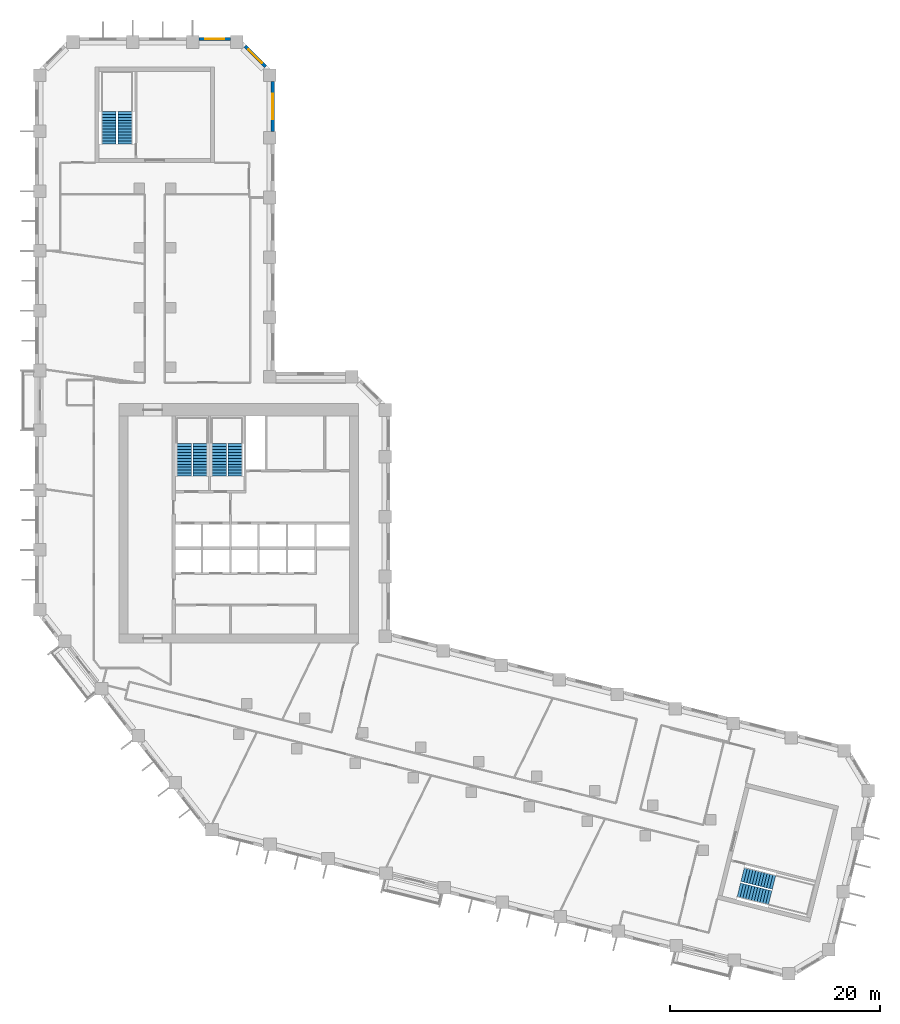
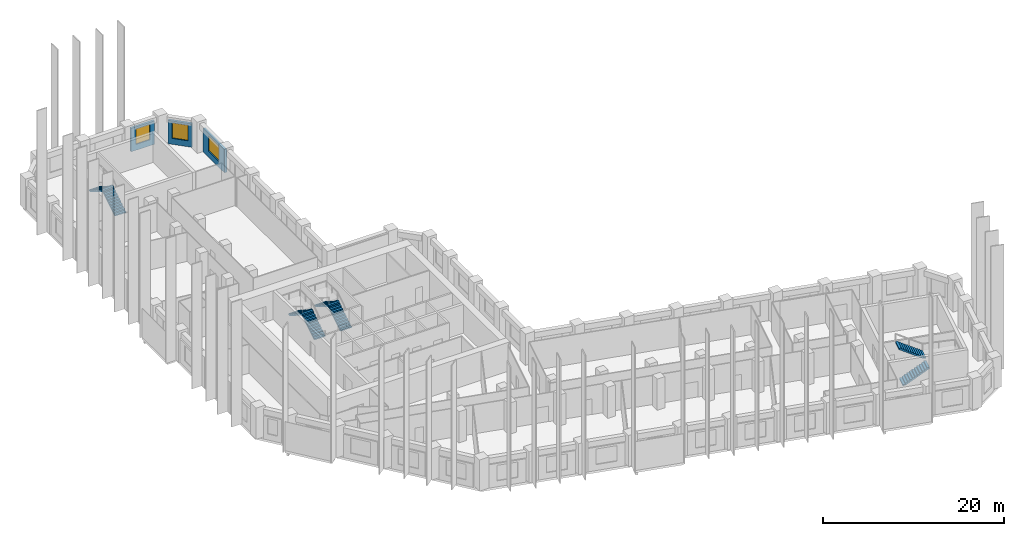
# One storey, part 9 of 10: 8 stair flights, 3 walls, 3 windows, 3 openings, 4 elements without a shape of their own.
"""IFC4 building model written with IfcOpenShell, lengths in metres."""

from ifc_helpers import new_model, si_unit, direction, frame, frame_2d, origin, place, context, subcontext, project, spatial, polyline, rectangle, outline, extrude, material, layer, layer_set, type_object, element, fill, aggregate, save


model = new_model("IFC4")

# Units and contexts
model_context = context("Model", 3, precision=1e-05, world=origin(), true_north=direction((0.0, 1.0)))
body_context = subcontext(model_context, "Body", "Model", "MODEL_VIEW")
ifc_project = project(units=[si_unit("LENGTHUNIT", "METRE"), si_unit("AREAUNIT", "SQUARE_METRE"), si_unit("VOLUMEUNIT", "CUBIC_METRE"), si_unit("PLANEANGLEUNIT", "RADIAN"), si_unit("MASSUNIT", "GRAM", prefix="KILO")], contexts=[model_context])

# Site, building, storey
site_placement = place(None, origin())
site = spatial("IfcSite", under=ifc_project, at=site_placement, CompositionType="ELEMENT")
building_placement = place(site_placement, origin())
building = spatial("IfcBuilding", under=site, at=building_placement, Name="Meshkara Civic Tower", CompositionType="ELEMENT")
storey_placement = place(building_placement, frame((0.0, 0.0, 195.0)))
storey = spatial("IfcBuildingStorey", under=building, at=storey_placement, Name="L44", CompositionType="ELEMENT", Elevation=195.0)

# Wall, opening, window
ifc_material_1 = material(Name="Insulated infill panel with bronze anodised aluminium cladding", Category="aluminium")
ifc_layer = layer(ifc_material_1, 0.300048828125)
ifc_layer_set = layer_set([ifc_layer], Name="EXTERNAL INFILL WALL 300")
wall_type = type_object("IfcWallType", Name="EXTERNAL INFILL WALL 300", PredefinedType="SOLIDWALL", material=ifc_layer_set)
wall_1_placement = place(storey_placement, frame((22.64990234375, 62.85009765625, 0.0), z_axis=(0.0, 0.0, 1.0), x_axis=(0.0, 1.0, 0.0)))
wall_1 = element("IfcWall", 1, at=wall_1_placement, inside=storey, type_object=wall_type, Name="External wall", PredefinedType="SOLIDWALL", context=body_context, shape_type="SweptSolid", body=[
    extrude(rectangle(XDim=4.763916015625, YDim=0.300048828125, at=frame_2d((2.3818359375, 0.0))), origin(), (0.0, 0.0, 1.0), 3.14990234375),
])
opening_1_placement = place(wall_1_placement, frame((1.181884765625, 0.0, 0.800048828125)))
opening_1 = element("IfcOpeningElement", 2, at=opening_1_placement, cuts=wall_1, Name="Opening W7", PredefinedType="OPENING", context=body_context, shape_type="SweptSolid", body=[
    extrude(rectangle(XDim=2.39990234375, YDim=2.10009765625, at=frame_2d((1.199951171875, 1.050048828125))), frame((0.0, 0.159912109375, 0.0), z_axis=(0.0, -1.0, 0.0), x_axis=(1.0, 0.0, 0.0)), (0.0, 0.0, 1.0), 0.320068359375),
])
ifc_material_2 = material(Name="Tinted double glazing", Category="glass")
window_type_1 = type_object("IfcWindowType", Name="WINDOW 2400x2100", PartitioningType="DOUBLE_PANEL_VERTICAL", PredefinedType="WINDOW", material=ifc_material_2)
window_1_placement = place(opening_1_placement, origin())
window_1 = element("IfcWindow", 3, at=window_1_placement, inside=storey, type_object=window_type_1, Name="Window", OverallHeight=2.10009765625, OverallWidth=2.39990234375, PartitioningType="DOUBLE_PANEL_VERTICAL", PredefinedType="WINDOW", context=body_context, shape_type="SweptSolid", body=[
    extrude(rectangle(XDim=2.39990234375, YDim=2.10009765625, at=frame_2d((1.199951171875, 1.050048828125))), frame((0.0, 0.030029296875, 0.0), z_axis=(0.0, -1.0, 0.0), x_axis=(1.0, 0.0, 0.0)), (0.0, 0.0, 1.0), 0.06005859375),
])
fill(opening_1, window_1)

wall_2_placement = place(storey_placement, frame((21.9619140625, 69.02587890625, 0.0), z_axis=(0.0, 0.0, 1.0), x_axis=(-0.707062649074, 0.707150910545, 0.0)))
wall_2 = element("IfcWall", 4, at=wall_2_placement, inside=storey, type_object=wall_type, Name="External wall", PredefinedType="SOLIDWALL", context=body_context, shape_type="SweptSolid", body=[
    extrude(rectangle(XDim=2.76611328125, YDim=0.300048828125, at=frame_2d((1.383056640625, 0.0))), origin(), (0.0, 0.0, 1.0), 3.14990234375),
])
opening_2_placement = place(wall_2_placement, frame((0.48291015625, 0.0, 0.800048828125)))
opening_2 = element("IfcOpeningElement", 5, at=opening_2_placement, cuts=wall_2, Name="Opening W9", PredefinedType="OPENING", context=body_context, shape_type="SweptSolid", body=[
    extrude(rectangle(XDim=1.800048828125, YDim=2.10009765625, at=frame_2d((0.89990234375, 1.050048828125))), frame((0.0, 0.159912109375, 0.0), z_axis=(0.0, -1.0, 0.0), x_axis=(1.0, 0.0, 0.0)), (0.0, 0.0, 1.0), 0.320068359375),
])
ifc_material_3 = material(Name="Tinted double glazing", Category="glass")
window_type_2 = type_object("IfcWindowType", Name="WINDOW 1800x2100", PartitioningType="DOUBLE_PANEL_VERTICAL", PredefinedType="WINDOW", material=ifc_material_3)
window_2_placement = place(opening_2_placement, origin())
window_2 = element("IfcWindow", 6, at=window_2_placement, inside=storey, type_object=window_type_2, Name="Window", OverallHeight=2.10009765625, OverallWidth=1.800048828125, PartitioningType="DOUBLE_PANEL_VERTICAL", PredefinedType="WINDOW", context=body_context, shape_type="SweptSolid", body=[
    extrude(rectangle(XDim=1.800048828125, YDim=2.10009765625, at=frame_2d((0.89990234375, 1.050048828125))), frame((0.0, 0.030029296875, 0.0), z_axis=(0.0, -1.0, 0.0), x_axis=(1.0, 0.0, 0.0)), (0.0, 0.0, 1.0), 0.06005859375),
])
fill(opening_2, window_2)

wall_3_placement = place(storey_placement, frame((18.593994140625, 71.669921875, 0.0), z_axis=(0.0, 0.0, 1.0), x_axis=(-1.0, 0.0, 0.0)))
wall_3 = element("IfcWall", 7, at=wall_3_placement, inside=storey, type_object=wall_type, Name="External wall", PredefinedType="SOLIDWALL", context=body_context, shape_type="SweptSolid", body=[
    extrude(rectangle(XDim=2.988037109375, YDim=0.300048828125, at=frame_2d((1.494140625, 0.0))), origin(), (0.0, 0.0, 1.0), 3.14990234375),
])
opening_3_placement = place(wall_3_placement, frame((0.593994140625, 0.0, 0.800048828125)))
opening_3 = element("IfcOpeningElement", 8, at=opening_3_placement, cuts=wall_3, Name="Opening W9", PredefinedType="OPENING", context=body_context, shape_type="SweptSolid", body=[
    extrude(rectangle(XDim=1.800048828125, YDim=2.10009765625, at=frame_2d((0.89990234375, 1.050048828125))), frame((0.0, 0.159912109375, 0.0), z_axis=(0.0, -1.0, 0.0), x_axis=(1.0, 0.0, 0.0)), (0.0, 0.0, 1.0), 0.320068359375),
])
window_3_placement = place(opening_3_placement, origin())
window_3 = element("IfcWindow", 9, at=window_3_placement, inside=storey, type_object=window_type_2, Name="Window", OverallHeight=2.10009765625, OverallWidth=1.800048828125, PartitioningType="DOUBLE_PANEL_VERTICAL", PredefinedType="WINDOW", context=body_context, shape_type="SweptSolid", body=[
    extrude(rectangle(XDim=1.800048828125, YDim=2.10009765625, at=frame_2d((0.89990234375, 1.050048828125))), frame((0.0, 0.030029296875, 0.0), z_axis=(0.0, -1.0, 0.0), x_axis=(1.0, 0.0, 0.0)), (0.0, 0.0, 1.0), 0.06005859375),
])
fill(opening_3, window_3)

# Stair, stair flights
ifc_material_4 = material(Name="Precast concrete C40/50", Category="concrete")
stair_type = type_object("IfcStairType", Name="Exit stair half-turn 24 risers precast", PredefinedType="HALF_TURN_STAIR", material=ifc_material_4)
stair_1_placement = place(storey_placement, origin())
stair_1 = element("IfcStair", 10, at=stair_1_placement, inside=storey, type_object=stair_type, Name="L44 exit stair 1", PredefinedType="HALF_TURN_STAIR")
ifc_material_5 = material(Name="Precast concrete C40/50", Category="concrete")
stair_flight_type = type_object("IfcStairFlightType", Name="Exit stair flight 12 risers precast", PredefinedType="STRAIGHT", material=ifc_material_5)
stair_flight_1_placement = place(storey_placement, frame((15.72509765625, 30.0, 0.0), z_axis=(0.0, 0.0, 1.0), x_axis=(0.0, 1.0, 0.0)))
stair_flight_1 = element("IfcStairFlight", 11, at=stair_flight_1_placement, type_object=stair_flight_type, Name="ST1 flight 1", NumberOfRisers=12, NumberOfTreads=11, PredefinedType="STRAIGHT", RiserHeight=0.175, TreadLength=0.28, context=body_context, shape_type="SweptSolid", body=[
    extrude(outline(polyline([(0.0, 0.0), (0.0, 0.175048828125), (0.280029296875, 0.175048828125), (0.280029296875, 0.35009765625), (0.56005859375, 0.35009765625), (0.56005859375, 0.52490234375), (0.840087890625, 0.52490234375), (0.840087890625, 0.699951171875), (1.1201171875, 0.699951171875), (1.1201171875, 0.875), (1.39990234375, 0.875), (1.39990234375, 1.050048828125), (1.679931640625, 1.050048828125), (1.679931640625, 1.22509765625), (1.9599609375, 1.22509765625), (1.9599609375, 1.39990234375), (2.239990234375, 1.39990234375), (2.239990234375, 1.574951171875), (2.52001953125, 1.574951171875), (2.52001953125, 1.75), (2.800048828125, 1.75), (2.800048828125, 1.925048828125), (3.080078125, 1.925048828125), (3.080078125, 2.10009765625), (3.080078125, 1.748291015625), (0.28271484375, 0.0), (0.0, 0.0)])), frame((0.0, 0.699951171875, 0.0), z_axis=(0.0, -1.0, 0.0), x_axis=(1.0, 0.0, 0.0)), (0.0, 0.0, 1.0), 1.39990234375),
])
stair_flight_2_placement = place(storey_placement, frame((14.175048828125, 33.080078125, 2.10009765625), z_axis=(0.0, 0.0, 1.0), x_axis=(0.0, -1.0, 0.0)))
stair_flight_2 = element("IfcStairFlight", 12, at=stair_flight_2_placement, type_object=stair_flight_type, Name="ST1 flight 2", NumberOfRisers=12, NumberOfTreads=11, PredefinedType="STRAIGHT", RiserHeight=0.175, TreadLength=0.28, context=body_context, shape_type="SweptSolid", body=[
    extrude(outline(polyline([(0.0, 0.0), (0.0, 0.175048828125), (0.280029296875, 0.175048828125), (0.280029296875, 0.35009765625), (0.56005859375, 0.35009765625), (0.56005859375, 0.52490234375), (0.840087890625, 0.52490234375), (0.840087890625, 0.699951171875), (1.1201171875, 0.699951171875), (1.1201171875, 0.875), (1.39990234375, 0.875), (1.39990234375, 1.050048828125), (1.679931640625, 1.050048828125), (1.679931640625, 1.22509765625), (1.9599609375, 1.22509765625), (1.9599609375, 1.39990234375), (2.239990234375, 1.39990234375), (2.239990234375, 1.574951171875), (2.52001953125, 1.574951171875), (2.52001953125, 1.75), (2.800048828125, 1.75), (2.800048828125, 1.925048828125), (3.080078125, 1.925048828125), (3.080078125, 2.10009765625), (3.080078125, 1.748291015625), (0.28271484375, 0.0), (0.0, 0.0)])), frame((0.0, 0.699951171875, 0.0), z_axis=(0.0, -1.0, 0.0), x_axis=(1.0, 0.0, 0.0)), (0.0, 0.0, 1.0), 1.39990234375),
])
aggregate(stair_1, [stair_flight_1, stair_flight_2])

stair_2_placement = place(storey_placement, origin())
stair_2 = element("IfcStair", 13, at=stair_2_placement, inside=storey, type_object=stair_type, Name="L44 exit stair 2", PredefinedType="HALF_TURN_STAIR")
stair_flight_3_placement = place(storey_placement, frame((19.074951171875, 30.0, 0.0), z_axis=(0.0, 0.0, 1.0), x_axis=(0.0, 1.0, 0.0)))
stair_flight_3 = element("IfcStairFlight", 14, at=stair_flight_3_placement, type_object=stair_flight_type, Name="ST2 flight 1", NumberOfRisers=12, NumberOfTreads=11, PredefinedType="STRAIGHT", RiserHeight=0.175, TreadLength=0.28, context=body_context, shape_type="SweptSolid", body=[
    extrude(outline(polyline([(0.0, 0.0), (0.0, 0.175048828125), (0.280029296875, 0.175048828125), (0.280029296875, 0.35009765625), (0.56005859375, 0.35009765625), (0.56005859375, 0.52490234375), (0.840087890625, 0.52490234375), (0.840087890625, 0.699951171875), (1.1201171875, 0.699951171875), (1.1201171875, 0.875), (1.39990234375, 0.875), (1.39990234375, 1.050048828125), (1.679931640625, 1.050048828125), (1.679931640625, 1.22509765625), (1.9599609375, 1.22509765625), (1.9599609375, 1.39990234375), (2.239990234375, 1.39990234375), (2.239990234375, 1.574951171875), (2.52001953125, 1.574951171875), (2.52001953125, 1.75), (2.800048828125, 1.75), (2.800048828125, 1.925048828125), (3.080078125, 1.925048828125), (3.080078125, 2.10009765625), (3.080078125, 1.748291015625), (0.28271484375, 0.0), (0.0, 0.0)])), frame((0.0, 0.699951171875, 0.0), z_axis=(0.0, -1.0, 0.0), x_axis=(1.0, 0.0, 0.0)), (0.0, 0.0, 1.0), 1.39990234375),
])
stair_flight_4_placement = place(storey_placement, frame((17.52490234375, 33.080078125, 2.10009765625), z_axis=(0.0, 0.0, 1.0), x_axis=(0.0, -1.0, 0.0)))
stair_flight_4 = element("IfcStairFlight", 15, at=stair_flight_4_placement, type_object=stair_flight_type, Name="ST2 flight 2", NumberOfRisers=12, NumberOfTreads=11, PredefinedType="STRAIGHT", RiserHeight=0.175, TreadLength=0.28, context=body_context, shape_type="SweptSolid", body=[
    extrude(outline(polyline([(0.0, 0.0), (0.0, 0.175048828125), (0.280029296875, 0.175048828125), (0.280029296875, 0.35009765625), (0.56005859375, 0.35009765625), (0.56005859375, 0.52490234375), (0.840087890625, 0.52490234375), (0.840087890625, 0.699951171875), (1.1201171875, 0.699951171875), (1.1201171875, 0.875), (1.39990234375, 0.875), (1.39990234375, 1.050048828125), (1.679931640625, 1.050048828125), (1.679931640625, 1.22509765625), (1.9599609375, 1.22509765625), (1.9599609375, 1.39990234375), (2.239990234375, 1.39990234375), (2.239990234375, 1.574951171875), (2.52001953125, 1.574951171875), (2.52001953125, 1.75), (2.800048828125, 1.75), (2.800048828125, 1.925048828125), (3.080078125, 1.925048828125), (3.080078125, 2.10009765625), (3.080078125, 1.748291015625), (0.28271484375, 0.0), (0.0, 0.0)])), frame((0.0, 0.699951171875, 0.0), z_axis=(0.0, -1.0, 0.0), x_axis=(1.0, 0.0, 0.0)), (0.0, 0.0, 1.0), 1.39990234375),
])
aggregate(stair_2, [stair_flight_3, stair_flight_4])

stair_3_placement = place(storey_placement, origin())
stair_3 = element("IfcStair", 16, at=stair_3_placement, inside=storey, type_object=stair_type, Name="L44 exit stair A from L35", PredefinedType="HALF_TURN_STAIR")
stair_flight_5_placement = place(storey_placement, frame((8.574951171875, 61.669921875, 0.0), z_axis=(0.0, 0.0, 1.0), x_axis=(0.0, 1.0, 0.0)))
stair_flight_5 = element("IfcStairFlight", 17, at=stair_flight_5_placement, type_object=stair_flight_type, Name="ESA3 flight 1", NumberOfRisers=12, NumberOfTreads=11, PredefinedType="STRAIGHT", RiserHeight=0.175, TreadLength=0.28, context=body_context, shape_type="SweptSolid", body=[
    extrude(outline(polyline([(0.0, 0.0), (0.0, 0.175048828125), (0.280029296875, 0.175048828125), (0.280029296875, 0.35009765625), (0.56005859375, 0.35009765625), (0.56005859375, 0.52490234375), (0.840087890625, 0.52490234375), (0.840087890625, 0.699951171875), (1.1201171875, 0.699951171875), (1.1201171875, 0.875), (1.39990234375, 0.875), (1.39990234375, 1.050048828125), (1.679931640625, 1.050048828125), (1.679931640625, 1.22509765625), (1.9599609375, 1.22509765625), (1.9599609375, 1.39990234375), (2.239990234375, 1.39990234375), (2.239990234375, 1.574951171875), (2.52001953125, 1.574951171875), (2.52001953125, 1.75), (2.800048828125, 1.75), (2.800048828125, 1.925048828125), (3.080078125, 1.925048828125), (3.080078125, 2.10009765625), (3.080078125, 1.748291015625), (0.28271484375, 0.0), (0.0, 0.0)])), frame((0.0, 0.699951171875, 0.0), z_axis=(0.0, -1.0, 0.0), x_axis=(1.0, 0.0, 0.0)), (0.0, 0.0, 1.0), 1.39990234375),
])
stair_flight_6_placement = place(storey_placement, frame((7.02490234375, 64.75, 2.10009765625), z_axis=(0.0, 0.0, 1.0), x_axis=(0.0, -1.0, 0.0)))
stair_flight_6 = element("IfcStairFlight", 18, at=stair_flight_6_placement, type_object=stair_flight_type, Name="ESA3 flight 2", NumberOfRisers=12, NumberOfTreads=11, PredefinedType="STRAIGHT", RiserHeight=0.175, TreadLength=0.28, context=body_context, shape_type="SweptSolid", body=[
    extrude(outline(polyline([(0.0, 0.0), (0.0, 0.175048828125), (0.280029296875, 0.175048828125), (0.280029296875, 0.35009765625), (0.56005859375, 0.35009765625), (0.56005859375, 0.52490234375), (0.840087890625, 0.52490234375), (0.840087890625, 0.699951171875), (1.1201171875, 0.699951171875), (1.1201171875, 0.875), (1.39990234375, 0.875), (1.39990234375, 1.050048828125), (1.679931640625, 1.050048828125), (1.679931640625, 1.22509765625), (1.9599609375, 1.22509765625), (1.9599609375, 1.39990234375), (2.239990234375, 1.39990234375), (2.239990234375, 1.574951171875), (2.52001953125, 1.574951171875), (2.52001953125, 1.75), (2.800048828125, 1.75), (2.800048828125, 1.925048828125), (3.080078125, 1.925048828125), (3.080078125, 2.10009765625), (3.080078125, 1.748291015625), (0.28271484375, 0.0), (0.0, 0.0)])), frame((0.0, 0.699951171875, 0.0), z_axis=(0.0, -1.0, 0.0), x_axis=(1.0, 0.0, 0.0)), (0.0, 0.0, 1.0), 1.39990234375),
])
aggregate(stair_3, [stair_flight_5, stair_flight_6])

stair_4_placement = place(storey_placement, origin())
stair_4 = element("IfcStair", 19, at=stair_4_placement, inside=storey, type_object=stair_type, Name="L44 exit stair B from L35", PredefinedType="HALF_TURN_STAIR")
stair_flight_7_placement = place(storey_placement, frame((67.068115234375, -9.4814453125, 0.0), z_axis=(0.0, 0.0, 1.0), x_axis=(0.9703185901, -0.241830175344, 0.0)))
stair_flight_7 = element("IfcStairFlight", 20, at=stair_flight_7_placement, type_object=stair_flight_type, Name="ESB3 flight 1", NumberOfRisers=12, NumberOfTreads=11, PredefinedType="STRAIGHT", RiserHeight=0.175, TreadLength=0.28, context=body_context, shape_type="SweptSolid", body=[
    extrude(outline(polyline([(0.0, 0.0), (0.0, 0.175048828125), (0.280029296875, 0.175048828125), (0.280029296875, 0.35009765625), (0.56005859375, 0.35009765625), (0.56005859375, 0.52490234375), (0.840087890625, 0.52490234375), (0.840087890625, 0.699951171875), (1.1201171875, 0.699951171875), (1.1201171875, 0.875), (1.39990234375, 0.875), (1.39990234375, 1.050048828125), (1.679931640625, 1.050048828125), (1.679931640625, 1.22509765625), (1.9599609375, 1.22509765625), (1.9599609375, 1.39990234375), (2.239990234375, 1.39990234375), (2.239990234375, 1.574951171875), (2.52001953125, 1.574951171875), (2.52001953125, 1.75), (2.800048828125, 1.75), (2.800048828125, 1.925048828125), (3.080078125, 1.925048828125), (3.080078125, 2.10009765625), (3.080078125, 1.748291015625), (0.28271484375, 0.0), (0.0, 0.0)])), frame((0.0, 0.699951171875, 0.0), z_axis=(0.0, -1.0, 0.0), x_axis=(1.0, 0.0, 0.0)), (0.0, 0.0, 1.0), 1.39990234375),
])
stair_flight_8_placement = place(storey_placement, frame((70.431396484375, -8.722412109375, 2.10009765625), z_axis=(0.0, 0.0, 1.0), x_axis=(-0.9703185901, 0.241830175344, 0.0)))
stair_flight_8 = element("IfcStairFlight", 21, at=stair_flight_8_placement, type_object=stair_flight_type, Name="ESB3 flight 2", NumberOfRisers=12, NumberOfTreads=11, PredefinedType="STRAIGHT", RiserHeight=0.175, TreadLength=0.28, context=body_context, shape_type="SweptSolid", body=[
    extrude(outline(polyline([(0.0, 0.0), (0.0, 0.175048828125), (0.280029296875, 0.175048828125), (0.280029296875, 0.35009765625), (0.56005859375, 0.35009765625), (0.56005859375, 0.52490234375), (0.840087890625, 0.52490234375), (0.840087890625, 0.699951171875), (1.1201171875, 0.699951171875), (1.1201171875, 0.875), (1.39990234375, 0.875), (1.39990234375, 1.050048828125), (1.679931640625, 1.050048828125), (1.679931640625, 1.22509765625), (1.9599609375, 1.22509765625), (1.9599609375, 1.39990234375), (2.239990234375, 1.39990234375), (2.239990234375, 1.574951171875), (2.52001953125, 1.574951171875), (2.52001953125, 1.75), (2.800048828125, 1.75), (2.800048828125, 1.925048828125), (3.080078125, 1.925048828125), (3.080078125, 2.10009765625), (3.080078125, 1.748291015625), (0.28271484375, 0.0), (0.0, 0.0)])), frame((0.0, 0.699951171875, 0.0), z_axis=(0.0, -1.0, 0.0), x_axis=(1.0, 0.0, 0.0)), (0.0, 0.0, 1.0), 1.39990234375),
])
aggregate(stair_4, [stair_flight_7, stair_flight_8])

save(model, "model.ifc")
